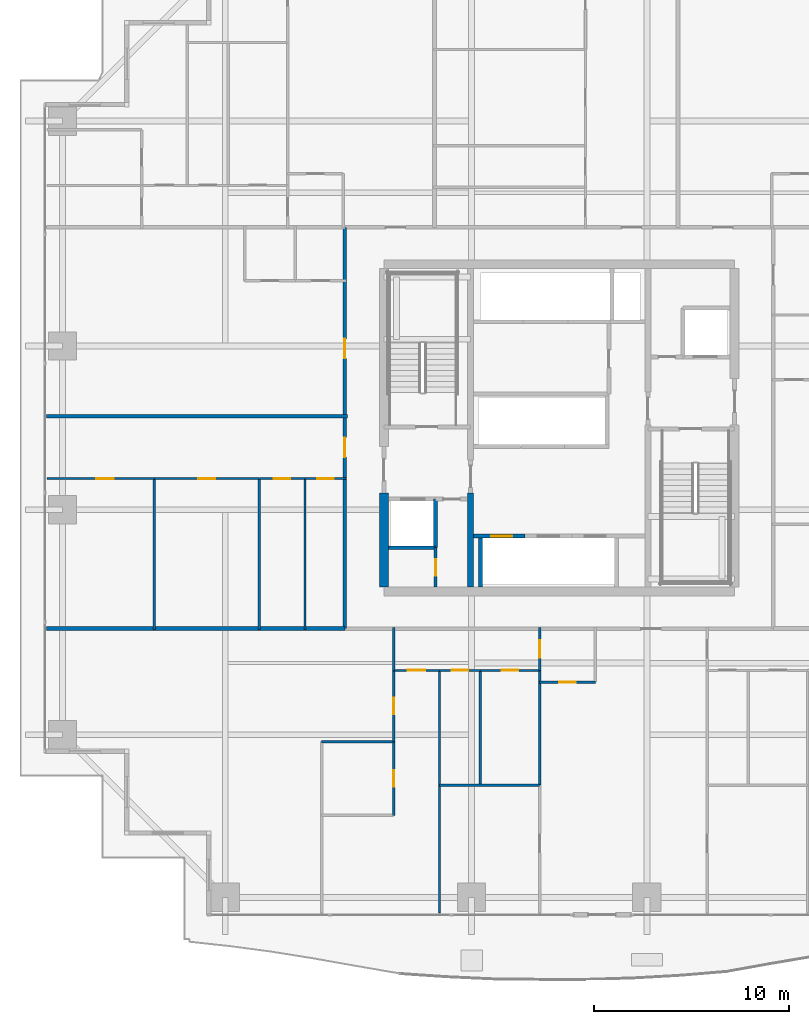
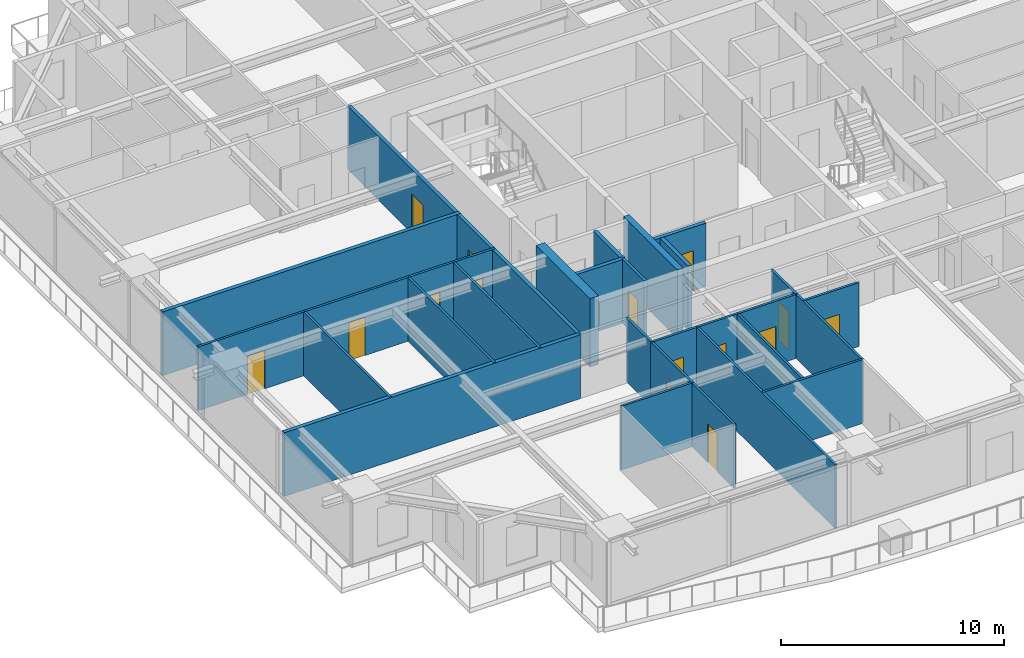
# One storey, part 27 of 39: 30 walls, 15 doors, 15 openings.
"""IFC4 building model written with IfcOpenShell, lengths in metres."""

from ifc_helpers import new_model, si_unit, direction, frame, frame_2d, origin, place, context, subcontext, project, spatial, rectangle, extrude, source, transform, mapped, material, layer, layer_set, type_object, element, fill, save


model = new_model("IFC4")

# Units and contexts
model_context = context("Model", 3, precision=1e-05, world=origin(), true_north=direction((0.0, 1.0)))
body_context = subcontext(model_context, "Body", "Model", "MODEL_VIEW")
ifc_project = project(units=[si_unit("LENGTHUNIT", "METRE"), si_unit("AREAUNIT", "SQUARE_METRE"), si_unit("VOLUMEUNIT", "CUBIC_METRE"), si_unit("PLANEANGLEUNIT", "RADIAN"), si_unit("MASSUNIT", "GRAM", prefix="KILO")], contexts=[model_context])

# Site, building, storey
site_placement = place(None, origin())
site = spatial("IfcSite", under=ifc_project, at=site_placement, CompositionType="ELEMENT")
building_placement = place(site_placement, origin())
building = spatial("IfcBuilding", under=site, at=building_placement, Name="Serunith Strait Residences", CompositionType="ELEMENT")
storey_placement = place(building_placement, frame((0.0, 0.0, 49.199951171875)))
storey = spatial("IfcBuildingStorey", under=building, at=storey_placement, Name="L11", CompositionType="ELEMENT", Elevation=49.199951171875)

# Wall, opening, door
ifc_material_1 = material(Name="Fire-rated masonry service closet wall", Category="masonry")
ifc_layer_1 = layer(ifc_material_1, 0.14990234375, Name="Fire-rated masonry service closet wall")
ifc_layer_set_1 = layer_set([ifc_layer_1], Name="Fire-rated masonry service closet wall")
wall_type_1 = type_object("IfcWallType", Name="IW-BOH-150", PredefinedType="PARTITIONING", material=ifc_layer_set_1)
wall_1_placement = place(storey_placement, frame((26.050048828125, 17.02490234375, 0.0), z_axis=(0.0, 0.0, 1.0), x_axis=(0.0, 1.0, 0.0)))
wall_1 = element("IfcWall", 1, at=wall_1_placement, inside=storey, type_object=wall_type_1, Name="L11 Partition Wall 012", PredefinedType="PARTITIONING", context=body_context, shape_type="SweptSolid", body=[
    extrude(rectangle(XDim=2.023193359375, YDim=0.14990234375, at=frame_2d((1.01171875, 0.0))), origin(), (0.0, 0.0, 1.0), 3.489990234375),
])
opening_1_placement = place(wall_1_placement, frame((0.5859375, 0.0, 0.0)))
opening_1 = element("IfcOpeningElement", 2, at=opening_1_placement, cuts=wall_1, Name="Opening FD-850", PredefinedType="OPENING", context=body_context, shape_type="SweptSolid", body=[
    extrude(rectangle(XDim=0.85009765625, YDim=2.10009765625, at=frame_2d((0.425048828125, 1.050048828125))), frame((0.0, 0.0849609375, 0.0), z_axis=(0.0, -1.0, 0.0), x_axis=(1.0, 0.0, 0.0)), (0.0, 0.0, 1.0), 0.169921875),
])
ifc_material_2 = material(Name="Powder-coated steel service closet door", Category="steel")
door_type_1 = type_object("IfcDoorType", Name="FD-BOH-850", OperationType="NOTDEFINED", PredefinedType="DOOR", material=ifc_material_2)
shared_shape_1 = source(origin(), body_context, "Body", "SweptSolid", [
    extrude(rectangle(XDim=0.85009765625, YDim=2.10009765625, at=frame_2d((0.425048828125, 1.050048828125))), frame((0.0, 0.02490234375, 0.0), z_axis=(0.0, -1.0, 0.0), x_axis=(1.0, 0.0, 0.0)), (0.0, 0.0, 1.0), 0.050048828125),
])
door_1_placement = place(opening_1_placement, origin())
door_1 = element("IfcDoor", 3, at=door_1_placement, inside=storey, type_object=door_type_1, Name="L11 Cleaner Store Door", OperationType="SINGLE_SWING_RIGHT", OverallHeight=2.10009765625, OverallWidth=0.85009765625, PredefinedType="DOOR", context=body_context, shape_type="MappedRepresentation", body=[
    mapped(shared_shape_1, transform((0.0, 0.0, 0.0), scale=1.0)),
])
fill(opening_1, door_1)

# Wall, openings, doors
ifc_material_3 = material(Name="Fire-rated acoustic gypsum partition")
ifc_layer_2 = layer(ifc_material_3, 0.179931640625, Name="Fire-rated acoustic gypsum partition")
ifc_layer_set_2 = layer_set([ifc_layer_2], Name="Fire-rated acoustic gypsum partition")
wall_type_2 = type_object("IfcWallType", Name="IW-CORR-180", PredefinedType="PARTITIONING", material=ifc_layer_set_2)
wall_2_placement = place(storey_placement, frame((21.39990234375, 14.89990234375, 0.0), z_axis=(0.0, 0.0, 1.0), x_axis=(0.0, 1.0, 0.0)))
wall_2 = element("IfcWall", 4, at=wall_2_placement, inside=storey, type_object=wall_type_2, Name="L11 Partition Wall 023", PredefinedType="PARTITIONING", context=body_context, shape_type="SweptSolid", body=[
    extrude(rectangle(XDim=20.60009765625, YDim=0.179931640625, at=frame_2d((10.300048828125, 0.0))), origin(), (0.0, 0.0, 1.0), 3.489990234375),
])
opening_2_placement = place(wall_2_placement, frame((8.800048828125, 0.0, 0.0)))
opening_2 = element("IfcOpeningElement", 5, at=opening_2_placement, cuts=wall_2, Name="Opening D-APT1000", PredefinedType="OPENING", context=body_context, shape_type="SweptSolid", body=[
    extrude(rectangle(XDim=1.0, YDim=2.14990234375, at=frame_2d((0.5, 1.074951171875))), frame((0.0, 0.10009765625, 0.0), z_axis=(0.0, -1.0, 0.0), x_axis=(1.0, 0.0, 0.0)), (0.0, 0.0, 1.0), 0.199951171875),
])
opening_3_placement = place(wall_2_placement, frame((13.876953125, 0.0, 0.0)))
opening_3 = element("IfcOpeningElement", 6, at=opening_3_placement, cuts=wall_2, Name="Opening D-APT1000", PredefinedType="OPENING", context=body_context, shape_type="SweptSolid", body=[
    extrude(rectangle(XDim=1.0, YDim=2.14990234375, at=frame_2d((0.5, 1.074951171875))), frame((0.0, 0.10009765625, 0.0), z_axis=(0.0, -1.0, 0.0), x_axis=(1.0, 0.0, 0.0)), (0.0, 0.0, 1.0), 0.199951171875),
])
ifc_material_4 = material(Name="Solid timber engineered fire door", Category="wood")
door_type_2 = type_object("IfcDoorType", Name="ID-APT-1000", OperationType="NOTDEFINED", PredefinedType="DOOR", material=ifc_material_4)
shared_shape_2 = source(origin(), body_context, "Body", "SweptSolid", [
    extrude(rectangle(XDim=1.0, YDim=2.14990234375, at=frame_2d((0.5, 1.074951171875))), frame((0.0, 0.02490234375, 0.0), z_axis=(0.0, -1.0, 0.0), x_axis=(1.0, 0.0, 0.0)), (0.0, 0.0, 1.0), 0.050048828125),
])
door_2_placement = place(opening_2_placement, origin())
door_2 = element("IfcDoor", 7, at=door_2_placement, inside=storey, type_object=door_type_2, Name="L11 Unit 05 Entrance Door", OperationType="SINGLE_SWING_RIGHT", OverallHeight=2.14990234375, OverallWidth=1.0, PredefinedType="DOOR", context=body_context, shape_type="MappedRepresentation", body=[
    mapped(shared_shape_2, transform((0.0, 0.0, 0.0), scale=1.0)),
])
fill(opening_2, door_2)
door_3_placement = place(opening_3_placement, origin())
door_3 = element("IfcDoor", 8, at=door_3_placement, inside=storey, type_object=door_type_2, Name="L11 Unit 06 Entrance Door", OperationType="SINGLE_SWING_LEFT", OverallHeight=2.14990234375, OverallWidth=1.0, PredefinedType="DOOR", context=body_context, shape_type="MappedRepresentation", body=[
    mapped(shared_shape_2, transform((0.0, 0.0, 0.0), scale=1.0)),
])
fill(opening_3, door_3)

# Wall, opening, door
ifc_material_5 = material(Name="Lightweight steel-stud gypsum partition", Category="steel")
ifc_layer_3 = layer(ifc_material_5, 0.1201171875, Name="Lightweight steel-stud gypsum partition")
ifc_layer_set_3 = layer_set([ifc_layer_3], Name="Lightweight steel-stud gypsum partition")
wall_type_3 = type_object("IfcWallType", Name="IW-PART-120", PredefinedType="PARTITIONING", material=ifc_layer_set_3)
wall_3_placement = place(storey_placement, frame((31.39990234375, 12.14990234375, 0.0), z_axis=(0.0, 0.0, 1.0), x_axis=(1.0, 0.0, 0.0)))
wall_3 = element("IfcWall", 9, at=wall_3_placement, inside=storey, type_object=wall_type_3, Name="L11 Partition Wall 025", PredefinedType="PARTITIONING", context=body_context, shape_type="SweptSolid", body=[
    extrude(rectangle(XDim=2.85009765625, YDim=0.1201171875, at=frame_2d((1.425048828125, 0.0))), origin(), (0.0, 0.0, 1.0), 3.489990234375),
])
opening_4_placement = place(wall_3_placement, frame((1.0, 0.0, 0.0)))
opening_4 = element("IfcOpeningElement", 10, at=opening_4_placement, cuts=wall_3, Name="Opening D-RM850", PredefinedType="OPENING", context=body_context, shape_type="SweptSolid", body=[
    extrude(rectangle(XDim=0.85009765625, YDim=2.10009765625, at=frame_2d((0.425048828125, 1.050048828125))), frame((0.0, 0.070068359375, 0.0), z_axis=(0.0, -1.0, 0.0), x_axis=(1.0, 0.0, 0.0)), (0.0, 0.0, 1.0), 0.14013671875),
])
ifc_material_6 = material(Name="Engineered timber flush study and kitchen door", Category="wood")
door_type_3 = type_object("IfcDoorType", Name="ID-ROOM-850", OperationType="NOTDEFINED", PredefinedType="DOOR", material=ifc_material_6)
door_4_placement = place(opening_4_placement, origin())
door_4 = element("IfcDoor", 11, at=door_4_placement, inside=storey, type_object=door_type_3, Name="L11 Kitchen 1101 Door", OperationType="SINGLE_SWING_LEFT", OverallHeight=2.10009765625, OverallWidth=0.85009765625, PredefinedType="DOOR", context=body_context, shape_type="MappedRepresentation", body=[
    mapped(shared_shape_1, transform((0.0, 0.0, 0.0), scale=1.0)),
])
fill(opening_4, door_4)

wall_4_placement = place(storey_placement, frame((31.39990234375, 12.75, 0.0), z_axis=(0.0, 0.0, 1.0), x_axis=(0.0, 1.0, 0.0)))
wall_4 = element("IfcWall", 12, at=wall_4_placement, inside=storey, type_object=wall_type_3, Name="L11 Partition Wall 027", PredefinedType="PARTITIONING", context=body_context, shape_type="SweptSolid", body=[
    extrude(rectangle(XDim=2.2099609375, YDim=0.1201171875, at=frame_2d((1.10498046875, 0.0))), origin(), (0.0, 0.0, 1.0), 3.489990234375),
])
opening_5_placement = place(wall_4_placement, frame((0.655029296875, 0.0, 0.0)))
opening_5 = element("IfcOpeningElement", 13, at=opening_5_placement, cuts=wall_4, Name="Opening D-RM900", PredefinedType="OPENING", context=body_context, shape_type="SweptSolid", body=[
    extrude(rectangle(XDim=0.89990234375, YDim=2.10009765625, at=frame_2d((0.449951171875, 1.050048828125))), frame((0.0, 0.070068359375, 0.0), z_axis=(0.0, -1.0, 0.0), x_axis=(1.0, 0.0, 0.0)), (0.0, 0.0, 1.0), 0.14013671875),
])
ifc_material_7 = material(Name="Engineered timber flush bedroom door", Category="wood")
door_type_4 = type_object("IfcDoorType", Name="ID-ROOM-900", OperationType="NOTDEFINED", PredefinedType="DOOR", material=ifc_material_7)
shared_shape_3 = source(origin(), body_context, "Body", "SweptSolid", [
    extrude(rectangle(XDim=0.89990234375, YDim=2.10009765625, at=frame_2d((0.449951171875, 1.050048828125))), frame((0.0, 0.02490234375, 0.0), z_axis=(0.0, -1.0, 0.0), x_axis=(1.0, 0.0, 0.0)), (0.0, 0.0, 1.0), 0.050048828125),
])
door_5_placement = place(opening_5_placement, origin())
door_5 = element("IfcDoor", 14, at=door_5_placement, inside=storey, type_object=door_type_4, Name="L11 Hall W 1101 Door", OperationType="SINGLE_SWING_RIGHT", OverallHeight=2.10009765625, OverallWidth=0.89990234375, PredefinedType="DOOR", context=body_context, shape_type="MappedRepresentation", body=[
    mapped(shared_shape_3, transform((0.0, 0.0, 0.0), scale=1.0)),
])
fill(opening_5, door_5)

# Walls
wall_5_placement = place(storey_placement, frame((31.39990234375, 6.862060546875, 0.0), z_axis=(0.0, 0.0, 1.0), x_axis=(0.0, 1.0, 0.0)))
element("IfcWall", 15, at=wall_5_placement, inside=storey, type_object=wall_type_3, Name="L11 Partition Wall 029", PredefinedType="PARTITIONING", context=body_context, shape_type="SweptSolid", body=[
    extrude(rectangle(XDim=5.885986328125, YDim=0.1201171875, at=frame_2d((2.94287109375, 0.0))), origin(), (0.0, 0.0, 1.0), 3.489990234375),
])
wall_6_placement = place(storey_placement, frame((26.25, 6.860107421875, 0.0), z_axis=(0.0, 0.0, 1.0), x_axis=(1.0, 0.0, 0.0)))
element("IfcWall", 16, at=wall_6_placement, inside=storey, type_object=wall_type_3, Name="L11 Partition Wall 030", PredefinedType="PARTITIONING", context=body_context, shape_type="SweptSolid", body=[
    extrude(rectangle(XDim=5.14990234375, YDim=0.1201171875, at=frame_2d((2.574951171875, 0.0))), origin(), (0.0, 0.0, 1.0), 3.489990234375),
])
wall_7_placement = place(storey_placement, frame((26.25, 0.294921875, 0.0), z_axis=(0.0, 0.0, 1.0), x_axis=(0.0, 1.0, 0.0)))
element("IfcWall", 17, at=wall_7_placement, inside=storey, type_object=wall_type_3, Name="L11 Partition Wall 031", PredefinedType="PARTITIONING", context=body_context, shape_type="SweptSolid", body=[
    extrude(rectangle(XDim=12.455078125, YDim=0.1201171875, at=frame_2d((6.2275390625, 0.0))), origin(), (0.0, 0.0, 1.0), 3.489990234375),
])
wall_8_placement = place(storey_placement, frame((28.35009765625, 6.860107421875, 0.0), z_axis=(0.0, 0.0, 1.0), x_axis=(0.0, 1.0, 0.0)))
element("IfcWall", 18, at=wall_8_placement, inside=storey, type_object=wall_type_3, Name="L11 Partition Wall 032", PredefinedType="PARTITIONING", context=body_context, shape_type="SweptSolid", body=[
    extrude(rectangle(XDim=5.889892578125, YDim=0.1201171875, at=frame_2d((2.94482421875, 0.0))), origin(), (0.0, 0.0, 1.0), 3.489990234375),
])

# Wall, opening, door
wall_9_placement = place(storey_placement, frame((26.25, 12.75, 0.0), z_axis=(0.0, 0.0, 1.0), x_axis=(1.0, 0.0, 0.0)))
wall_9 = element("IfcWall", 19, at=wall_9_placement, inside=storey, type_object=wall_type_3, Name="L11 Partition Wall 033", PredefinedType="PARTITIONING", context=body_context, shape_type="SweptSolid", body=[
    extrude(rectangle(XDim=2.10009765625, YDim=0.1201171875, at=frame_2d((1.050048828125, 0.0))), origin(), (0.0, 0.0, 1.0), 3.489990234375),
])
opening_6_placement = place(wall_9_placement, frame((0.625, 0.0, 0.0)))
opening_6 = element("IfcOpeningElement", 20, at=opening_6_placement, cuts=wall_9, Name="Opening D-BTH850", PredefinedType="OPENING", context=body_context, shape_type="SweptSolid", body=[
    extrude(rectangle(XDim=0.85009765625, YDim=2.10009765625, at=frame_2d((0.425048828125, 1.050048828125))), frame((0.0, 0.070068359375, 0.0), z_axis=(0.0, -1.0, 0.0), x_axis=(1.0, 0.0, 0.0)), (0.0, 0.0, 1.0), 0.14013671875),
])
ifc_material_8 = material(Name="Moisture-resistant timber bathroom door", Category="wood")
door_type_5 = type_object("IfcDoorType", Name="ID-BATH-850", OperationType="NOTDEFINED", PredefinedType="DOOR", material=ifc_material_8)
door_6_placement = place(opening_6_placement, origin())
door_6 = element("IfcDoor", 21, at=door_6_placement, inside=storey, type_object=door_type_5, Name="L11 Bathroom 1101 Door", OperationType="SINGLE_SWING_RIGHT", OverallHeight=2.10009765625, OverallWidth=0.85009765625, PredefinedType="DOOR", context=body_context, shape_type="MappedRepresentation", body=[
    mapped(shared_shape_1, transform((0.0, 0.0, 0.0), scale=1.0)),
])
fill(opening_6, door_6)

wall_10_placement = place(storey_placement, frame((28.35205078125, 12.75, 0.0), z_axis=(0.0, 0.0, 1.0), x_axis=(1.0, 0.0, 0.0)))
wall_10 = element("IfcWall", 22, at=wall_10_placement, inside=storey, type_object=wall_type_3, Name="L11 Partition Wall 034", PredefinedType="PARTITIONING", context=body_context, shape_type="SweptSolid", body=[
    extrude(rectangle(XDim=3.0478515625, YDim=0.1201171875, at=frame_2d((1.52392578125, 0.0))), origin(), (0.0, 0.0, 1.0), 3.489990234375),
])
opening_7_placement = place(wall_10_placement, frame((1.09912109375, 0.0, 0.0)))
opening_7 = element("IfcOpeningElement", 23, at=opening_7_placement, cuts=wall_10, Name="Opening D-RM850", PredefinedType="OPENING", context=body_context, shape_type="SweptSolid", body=[
    extrude(rectangle(XDim=0.85009765625, YDim=2.10009765625, at=frame_2d((0.425048828125, 1.050048828125))), frame((0.0, 0.070068359375, 0.0), z_axis=(0.0, -1.0, 0.0), x_axis=(1.0, 0.0, 0.0)), (0.0, 0.0, 1.0), 0.14013671875),
])
door_7_placement = place(opening_7_placement, origin())
door_7 = element("IfcDoor", 24, at=door_7_placement, inside=storey, type_object=door_type_3, Name="L11 Formal Dining Room 1101 Door", OperationType="SINGLE_SWING_LEFT", OverallHeight=2.10009765625, OverallWidth=0.85009765625, PredefinedType="DOOR", context=body_context, shape_type="MappedRepresentation", body=[
    mapped(shared_shape_1, transform((0.0, 0.0, 0.0), scale=1.0)),
])
fill(opening_7, door_7)

wall_11_placement = place(storey_placement, frame((23.89990234375, 12.75, 0.0), z_axis=(0.0, 0.0, 1.0), x_axis=(1.0, 0.0, 0.0)))
wall_11 = element("IfcWall", 25, at=wall_11_placement, inside=storey, type_object=wall_type_3, Name="L11 Partition Wall 035", PredefinedType="PARTITIONING", context=body_context, shape_type="SweptSolid", body=[
    extrude(rectangle(XDim=2.34814453125, YDim=0.1201171875, at=frame_2d((1.174072265625, 0.0))), origin(), (0.0, 0.0, 1.0), 3.489990234375),
])
opening_8_placement = place(wall_11_placement, frame((0.72412109375, 0.0, 0.0)))
opening_8 = element("IfcOpeningElement", 26, at=opening_8_placement, cuts=wall_11, Name="Opening D-RM900", PredefinedType="OPENING", context=body_context, shape_type="SweptSolid", body=[
    extrude(rectangle(XDim=0.89990234375, YDim=2.10009765625, at=frame_2d((0.449951171875, 1.050048828125))), frame((0.0, 0.070068359375, 0.0), z_axis=(0.0, -1.0, 0.0), x_axis=(1.0, 0.0, 0.0)), (0.0, 0.0, 1.0), 0.14013671875),
])
door_8_placement = place(opening_8_placement, origin())
door_8 = element("IfcDoor", 27, at=door_8_placement, inside=storey, type_object=door_type_4, Name="L11 Master Bedroom W 1101 Door", OperationType="SINGLE_SWING_RIGHT", OverallHeight=2.10009765625, OverallWidth=0.89990234375, PredefinedType="DOOR", context=body_context, shape_type="MappedRepresentation", body=[
    mapped(shared_shape_3, transform((0.0, 0.0, 0.0), scale=1.0)),
])
fill(opening_8, door_8)

# Wall
wall_12_placement = place(storey_placement, frame((20.199951171875, 9.093017578125, 0.0), z_axis=(0.0, 0.0, 1.0), x_axis=(1.0, 0.0, 0.0)))
element("IfcWall", 28, at=wall_12_placement, inside=storey, type_object=wall_type_3, Name="L11 Partition Wall 038", PredefinedType="PARTITIONING", context=body_context, shape_type="SweptSolid", body=[
    extrude(rectangle(XDim=3.699951171875, YDim=0.1201171875, at=frame_2d((1.85009765625, 0.0))), origin(), (0.0, 0.0, 1.0), 3.489990234375),
])

# Wall, opening, door
wall_13_placement = place(storey_placement, frame((23.89990234375, 5.30908203125, 0.0), z_axis=(0.0, 0.0, 1.0), x_axis=(0.0, 1.0, 0.0)))
wall_13 = element("IfcWall", 29, at=wall_13_placement, inside=storey, type_object=wall_type_3, Name="L11 Partition Wall 039", PredefinedType="PARTITIONING", context=body_context, shape_type="SweptSolid", body=[
    extrude(rectangle(XDim=3.783935546875, YDim=0.1201171875, at=frame_2d((1.89208984375, 0.0))), origin(), (0.0, 0.0, 1.0), 3.489990234375),
])
opening_9_placement = place(wall_13_placement, frame((1.467041015625, 0.0, 0.0)))
opening_9 = element("IfcOpeningElement", 30, at=opening_9_placement, cuts=wall_13, Name="Opening D-BTH850", PredefinedType="OPENING", context=body_context, shape_type="SweptSolid", body=[
    extrude(rectangle(XDim=0.85009765625, YDim=2.10009765625, at=frame_2d((0.425048828125, 1.050048828125))), frame((0.0, 0.070068359375, 0.0), z_axis=(0.0, -1.0, 0.0), x_axis=(1.0, 0.0, 0.0)), (0.0, 0.0, 1.0), 0.14013671875),
])
door_9_placement = place(opening_9_placement, origin())
door_9 = element("IfcDoor", 31, at=door_9_placement, inside=storey, type_object=door_type_5, Name="L11 En-suite Bathroom W 1101 Door", OperationType="SINGLE_SWING_LEFT", OverallHeight=2.10009765625, OverallWidth=0.85009765625, PredefinedType="DOOR", context=body_context, shape_type="MappedRepresentation", body=[
    mapped(shared_shape_1, transform((0.0, 0.0, 0.0), scale=1.0)),
])
fill(opening_9, door_9)

wall_14_placement = place(storey_placement, frame((23.89990234375, 9.094970703125, 0.0), z_axis=(0.0, 0.0, 1.0), x_axis=(0.0, 1.0, 0.0)))
wall_14 = element("IfcWall", 32, at=wall_14_placement, inside=storey, type_object=wall_type_3, Name="L11 Partition Wall 040", PredefinedType="PARTITIONING", context=body_context, shape_type="SweptSolid", body=[
    extrude(rectangle(XDim=3.655029296875, YDim=0.1201171875, at=frame_2d((1.82763671875, 0.0))), origin(), (0.0, 0.0, 1.0), 3.489990234375),
])
opening_10_placement = place(wall_14_placement, frame((1.402099609375, 0.0, 0.0)))
opening_10 = element("IfcOpeningElement", 33, at=opening_10_placement, cuts=wall_14, Name="Opening D-RM850", PredefinedType="OPENING", context=body_context, shape_type="SweptSolid", body=[
    extrude(rectangle(XDim=0.85009765625, YDim=2.10009765625, at=frame_2d((0.425048828125, 1.050048828125))), frame((0.0, 0.070068359375, 0.0), z_axis=(0.0, -1.0, 0.0), x_axis=(1.0, 0.0, 0.0)), (0.0, 0.0, 1.0), 0.14013671875),
])
door_10_placement = place(opening_10_placement, origin())
door_10 = element("IfcDoor", 34, at=door_10_placement, inside=storey, type_object=door_type_3, Name="L11 Wardrobe W 1101 Door", OperationType="SINGLE_SWING_RIGHT", OverallHeight=2.10009765625, OverallWidth=0.85009765625, PredefinedType="DOOR", context=body_context, shape_type="MappedRepresentation", body=[
    mapped(shared_shape_1, transform((0.0, 0.0, 0.0), scale=1.0)),
])
fill(opening_10, door_10)

# Wall
wall_15_placement = place(storey_placement, frame((23.89990234375, 12.751953125, 0.0), z_axis=(0.0, 0.0, 1.0), x_axis=(0.0, 1.0, 0.0)))
element("IfcWall", 35, at=wall_15_placement, inside=storey, type_object=wall_type_3, Name="L11 Partition Wall 041", PredefinedType="PARTITIONING", context=body_context, shape_type="SweptSolid", body=[
    extrude(rectangle(XDim=2.2080078125, YDim=0.1201171875, at=frame_2d((1.10400390625, 0.0))), origin(), (0.0, 0.0, 1.0), 3.489990234375),
])

# Wall, opening, door
wall_16_placement = place(storey_placement, frame((6.094970703125, 22.60009765625, 0.0), z_axis=(0.0, 0.0, 1.0), x_axis=(1.0, 0.0, 0.0)))
wall_16 = element("IfcWall", 36, at=wall_16_placement, inside=storey, type_object=wall_type_3, Name="L11 Partition Wall 094", PredefinedType="PARTITIONING", context=body_context, shape_type="SweptSolid", body=[
    extrude(rectangle(XDim=5.513916015625, YDim=0.1201171875, at=frame_2d((2.7568359375, 0.0))), origin(), (0.0, 0.0, 1.0), 3.489990234375),
])
opening_11_placement = place(wall_16_placement, frame((2.5380859375, 0.0, 0.0)))
opening_11 = element("IfcOpeningElement", 37, at=opening_11_placement, cuts=wall_16, Name="Opening D-RM900", PredefinedType="OPENING", context=body_context, shape_type="SweptSolid", body=[
    extrude(rectangle(XDim=0.89990234375, YDim=2.10009765625, at=frame_2d((0.449951171875, 1.050048828125))), frame((0.0, 0.070068359375, 0.0), z_axis=(0.0, -1.0, 0.0), x_axis=(1.0, 0.0, 0.0)), (0.0, 0.0, 1.0), 0.14013671875),
])
door_11_placement = place(opening_11_placement, origin())
door_11 = element("IfcDoor", 38, at=door_11_placement, inside=storey, type_object=door_type_4, Name="L11 Master Bedroom 1 1105 Door", OperationType="SINGLE_SWING_RIGHT", OverallHeight=2.10009765625, OverallWidth=0.89990234375, PredefinedType="DOOR", context=body_context, shape_type="MappedRepresentation", body=[
    mapped(shared_shape_3, transform((0.0, 0.0, 0.0), scale=1.0)),
])
fill(opening_11, door_11)

# Walls
for number, where, z_axis, x_axis, name in (
    (39, (11.60888671875, 14.840087890625, 0.0), (0.0, 0.0, 1.0), (0.0, 1.0, 0.0), "L11 Partition Wall 095"),
    (40, (16.9990234375, 14.840087890625, 0.0), (0.0, 0.0, 1.0), (0.0, 1.0, 0.0), "L11 Partition Wall 096"),
    (41, (19.35009765625, 14.840087890625, 0.0), (0.0, 0.0, 1.0), (0.0, 1.0, 0.0), "L11 Partition Wall 097"),
):
    element("IfcWall", number, at=place(storey_placement, frame(where, z_axis=z_axis, x_axis=x_axis)), inside=storey, type_object=wall_type_3, Name=name, PredefinedType="PARTITIONING", context=body_context, shape_type="SweptSolid", body=[
        extrude(rectangle(XDim=7.760009765625, YDim=0.1201171875, at=frame_2d((3.8798828125, 0.0))), origin(), (0.0, 0.0, 1.0), 3.489990234375),
    ])

# Wall, opening, door
wall_17_placement = place(storey_placement, frame((11.611083984375, 22.60009765625, 0.0), z_axis=(0.0, 0.0, 1.0), x_axis=(1.0, 0.0, 0.0)))
wall_17 = element("IfcWall", 42, at=wall_17_placement, inside=storey, type_object=wall_type_3, Name="L11 Partition Wall 098", PredefinedType="PARTITIONING", context=body_context, shape_type="SweptSolid", body=[
    extrude(rectangle(XDim=5.387939453125, YDim=0.1201171875, at=frame_2d((2.69384765625, 0.0))), origin(), (0.0, 0.0, 1.0), 3.489990234375),
])
opening_12_placement = place(wall_17_placement, frame((2.26904296875, 0.0, 0.0)))
opening_12 = element("IfcOpeningElement", 43, at=opening_12_placement, cuts=wall_17, Name="Opening D-RM850", PredefinedType="OPENING", context=body_context, shape_type="SweptSolid", body=[
    extrude(rectangle(XDim=0.85009765625, YDim=2.10009765625, at=frame_2d((0.425048828125, 1.050048828125))), frame((0.0, 0.070068359375, 0.0), z_axis=(0.0, -1.0, 0.0), x_axis=(1.0, 0.0, 0.0)), (0.0, 0.0, 1.0), 0.14013671875),
])
door_12_placement = place(opening_12_placement, origin())
door_12 = element("IfcDoor", 44, at=door_12_placement, inside=storey, type_object=door_type_3, Name="L11 Dining 1105 Door", OperationType="SINGLE_SWING_LEFT", OverallHeight=2.10009765625, OverallWidth=0.85009765625, PredefinedType="DOOR", context=body_context, shape_type="MappedRepresentation", body=[
    mapped(shared_shape_1, transform((0.0, 0.0, 0.0), scale=1.0)),
])
fill(opening_12, door_12)

wall_18_placement = place(storey_placement, frame((17.0009765625, 22.60009765625, 0.0), z_axis=(0.0, 0.0, 1.0), x_axis=(1.0, 0.0, 0.0)))
wall_18 = element("IfcWall", 45, at=wall_18_placement, inside=storey, type_object=wall_type_3, Name="L11 Partition Wall 099", PredefinedType="PARTITIONING", context=body_context, shape_type="SweptSolid", body=[
    extrude(rectangle(XDim=2.34912109375, YDim=0.1201171875, at=frame_2d((1.174560546875, 0.0))), origin(), (0.0, 0.0, 1.0), 3.489990234375),
])
opening_13_placement = place(wall_18_placement, frame((0.75, 0.0, 0.0)))
opening_13 = element("IfcOpeningElement", 46, at=opening_13_placement, cuts=wall_18, Name="Opening D-RM850", PredefinedType="OPENING", context=body_context, shape_type="SweptSolid", body=[
    extrude(rectangle(XDim=0.85009765625, YDim=2.10009765625, at=frame_2d((0.425048828125, 1.050048828125))), frame((0.0, 0.070068359375, 0.0), z_axis=(0.0, -1.0, 0.0), x_axis=(1.0, 0.0, 0.0)), (0.0, 0.0, 1.0), 0.14013671875),
])
door_13_placement = place(opening_13_placement, origin())
door_13 = element("IfcDoor", 47, at=door_13_placement, inside=storey, type_object=door_type_3, Name="L11 Kitchen 1105 Door", OperationType="SINGLE_SWING_RIGHT", OverallHeight=2.10009765625, OverallWidth=0.85009765625, PredefinedType="DOOR", context=body_context, shape_type="MappedRepresentation", body=[
    mapped(shared_shape_1, transform((0.0, 0.0, 0.0), scale=1.0)),
])
fill(opening_13, door_13)

wall_19_placement = place(storey_placement, frame((19.35205078125, 22.60009765625, 0.0), z_axis=(0.0, 0.0, 1.0), x_axis=(1.0, 0.0, 0.0)))
wall_19 = element("IfcWall", 48, at=wall_19_placement, inside=storey, type_object=wall_type_3, Name="L11 Partition Wall 100", PredefinedType="PARTITIONING", context=body_context, shape_type="SweptSolid", body=[
    extrude(rectangle(XDim=2.10791015625, YDim=0.1201171875, at=frame_2d((1.053955078125, 0.0))), origin(), (0.0, 0.0, 1.0), 3.489990234375),
])
opening_14_placement = place(wall_19_placement, frame((0.62890625, 0.0, 0.0)))
opening_14 = element("IfcOpeningElement", 49, at=opening_14_placement, cuts=wall_19, Name="Opening D-BTH850", PredefinedType="OPENING", context=body_context, shape_type="SweptSolid", body=[
    extrude(rectangle(XDim=0.85009765625, YDim=2.10009765625, at=frame_2d((0.425048828125, 1.050048828125))), frame((0.0, 0.070068359375, 0.0), z_axis=(0.0, -1.0, 0.0), x_axis=(1.0, 0.0, 0.0)), (0.0, 0.0, 1.0), 0.14013671875),
])
door_14_placement = place(opening_14_placement, origin())
door_14 = element("IfcDoor", 50, at=door_14_placement, inside=storey, type_object=door_type_5, Name="L11 Bathroom 1105 Door", OperationType="SINGLE_SWING_LEFT", OverallHeight=2.10009765625, OverallWidth=0.85009765625, PredefinedType="DOOR", context=body_context, shape_type="MappedRepresentation", body=[
    mapped(shared_shape_1, transform((0.0, 0.0, 0.0), scale=1.0)),
])
fill(opening_14, door_14)

# Walls
ifc_material_9 = material(Name="Twin-stud acoustic gypsum board partition")
ifc_layer_4 = layer(ifc_material_9, 0.199951171875, Name="Twin-stud acoustic gypsum board partition")
ifc_layer_set_4 = layer_set([ifc_layer_4], Name="Twin-stud acoustic gypsum board partition")
wall_type_4 = type_object("IfcWallType", Name="IW-PARTY-200", PredefinedType="PARTITIONING", material=ifc_layer_set_4)
wall_20_placement = place(storey_placement, frame((6.08203125, 25.800048828125, 0.0), z_axis=(0.0, 0.0, 1.0), x_axis=(1.0, 0.0, 0.0)))
element("IfcWall", 51, at=wall_20_placement, inside=storey, type_object=wall_type_4, Name="L11 Partition Wall 016", PredefinedType="PARTITIONING", context=body_context, shape_type="SweptSolid", body=[
    extrude(rectangle(XDim=15.43798828125, YDim=0.199951171875, at=frame_2d((7.718994140625, 0.0))), origin(), (0.0, 0.0, 1.0), 3.489990234375),
])
wall_21_placement = place(storey_placement, frame((6.08203125, 14.89990234375, 0.0), z_axis=(0.0, 0.0, 1.0), x_axis=(1.0, 0.0, 0.0)))
element("IfcWall", 52, at=wall_21_placement, inside=storey, type_object=wall_type_4, Name="L11 Partition Wall 017", PredefinedType="PARTITIONING", context=body_context, shape_type="SweptSolid", body=[
    extrude(rectangle(XDim=15.31787109375, YDim=0.199951171875, at=frame_2d((7.658935546875, 0.0))), origin(), (0.0, 0.0, 1.0), 3.489990234375),
])

# Wall, opening, door
ifc_material_10 = material(Name="Autoclaved aerated concrete blockwork", Category="masonry")
ifc_layer_5 = layer(ifc_material_10, 0.199951171875, Name="Autoclaved aerated concrete blockwork")
ifc_layer_set_5 = layer_set([ifc_layer_5], Name="Autoclaved aerated concrete blockwork")
wall_type_5 = type_object("IfcWallType", Name="IW-SHAFT-200", PredefinedType="STANDARD", material=ifc_layer_set_5)
wall_22_placement = place(storey_placement, frame((28.0, 19.64990234375, 0.0), z_axis=(0.0, 0.0, 1.0), x_axis=(1.0, 0.0, 0.0)))
wall_22 = element("IfcWall", 53, at=wall_22_placement, inside=storey, type_object=wall_type_5, Name="L11 PL-1 North Shaft Wall", PredefinedType="STANDARD", context=body_context, shape_type="SweptSolid", body=[
    extrude(rectangle(XDim=2.64990234375, YDim=0.199951171875, at=frame_2d((1.324951171875, 0.0))), origin(), (0.0, 0.0, 1.0), 3.489990234375),
])
opening_15_placement = place(wall_22_placement, frame((0.89990234375, 0.0, 0.0)))
opening_15 = element("IfcOpeningElement", 54, at=opening_15_placement, cuts=wall_22, Name="Opening LD-1100", PredefinedType="OPENING", context=body_context, shape_type="SweptSolid", body=[
    extrude(rectangle(XDim=1.10009765625, YDim=2.199951171875, at=frame_2d((0.550048828125, 1.10009765625))), frame((0.0, 0.10986328125, 0.0), z_axis=(0.0, -1.0, 0.0), x_axis=(1.0, 0.0, 0.0)), (0.0, 0.0, 1.0), 0.219970703125),
])
ifc_material_11 = material(Name="Pale-champagne stainless landing door")
door_type_6 = type_object("IfcDoorType", Name="LD-LIFT-1100", OperationType="DOUBLE_DOOR_SLIDING", PredefinedType="DOOR", material=ifc_material_11)
shared_shape_4 = source(origin(), body_context, "Body", "SweptSolid", [
    extrude(rectangle(XDim=1.10009765625, YDim=2.199951171875, at=frame_2d((0.550048828125, 1.10009765625))), frame((0.0, 0.02490234375, 0.0), z_axis=(0.0, -1.0, 0.0), x_axis=(1.0, 0.0, 0.0)), (0.0, 0.0, 1.0), 0.050048828125),
])
door_15_placement = place(opening_15_placement, origin())
door_15 = element("IfcDoor", 55, at=door_15_placement, inside=storey, type_object=door_type_6, Name="L11 PL-1 Landing Door", OperationType="DOUBLE_DOOR_SLIDING", OverallHeight=2.199951171875, OverallWidth=1.10009765625, PredefinedType="DOOR", context=body_context, shape_type="MappedRepresentation", body=[
    mapped(shared_shape_4, transform((0.0, 0.0, 0.0), scale=1.0)),
])
fill(opening_15, door_15)

# Walls
wall_23_placement = place(storey_placement, frame((28.35009765625, 17.02490234375, 0.0), z_axis=(0.0, 0.0, 1.0), x_axis=(0.0, 1.0, 0.0)))
element("IfcWall", 56, at=wall_23_placement, inside=storey, type_object=wall_type_5, Name="L11 PL-1 West Shaft Wall", PredefinedType="STANDARD", context=body_context, shape_type="SweptSolid", body=[
    extrude(rectangle(XDim=2.525146484375, YDim=0.199951171875, at=frame_2d((1.2626953125, 0.0))), origin(), (0.0, 0.0, 1.0), 3.489990234375),
])
wall_24_placement = place(storey_placement, frame((26.050048828125, 19.050048828125, 0.0), z_axis=(0.0, 0.0, 1.0), x_axis=(0.0, 1.0, 0.0)))
element("IfcWall", 57, at=wall_24_placement, inside=storey, type_object=wall_type_5, Name="L11 Partition Wall 001", PredefinedType="STANDARD", context=body_context, shape_type="SweptSolid", body=[
    extrude(rectangle(XDim=2.5, YDim=0.199951171875, at=frame_2d((1.25, 0.0))), origin(), (0.0, 0.0, 1.0), 3.489990234375),
])
wall_25_placement = place(storey_placement, frame((23.625, 19.050048828125, 0.0), z_axis=(0.0, 0.0, 1.0), x_axis=(1.0, 0.0, 0.0)))
element("IfcWall", 58, at=wall_25_placement, inside=storey, type_object=wall_type_5, Name="L11 Partition Wall 002", PredefinedType="STANDARD", context=body_context, shape_type="SweptSolid", body=[
    extrude(rectangle(XDim=2.425048828125, YDim=0.199951171875, at=frame_2d((1.21240234375, 0.0))), origin(), (0.0, 0.0, 1.0), 3.489990234375),
])
ifc_material_12 = material(Name="Concrete C80/95", Category="concrete")
ifc_layer_6 = layer(ifc_material_12, 0.300048828125, Name="Concrete C80/95")
ifc_layer_set_6 = layer_set([ifc_layer_6], Name="Concrete C80/95")
wall_type_6 = type_object("IfcWallType", Name="SW-300-C80", PredefinedType="SHEAR", material=ifc_layer_set_6)
wall_26_placement = place(storey_placement, frame((27.85009765625, 17.02490234375, -0.260009765625), z_axis=(0.0, 0.0, 1.0), x_axis=(0.0, 1.0, 0.0)))
element("IfcWall", 59, at=wall_26_placement, inside=storey, type_object=wall_type_6, Name="L11 Core Internal West Web South Pier", PredefinedType="SHEAR", context=body_context, shape_type="SweptSolid", body=[
    extrude(rectangle(XDim=4.8251953125, YDim=0.300048828125, at=frame_2d((2.41259765625, 0.0))), origin(), (0.0, 0.0, 1.0), 3.748046875),
])
ifc_layer_7 = layer(ifc_material_12, 0.449951171875, Name="Concrete C80/95")
ifc_layer_set_7 = layer_set([ifc_layer_7], Name="Concrete C80/95")
wall_type_7 = type_object("IfcWallType", Name="SW-450-C80", PredefinedType="SHEAR", material=ifc_layer_set_7)
wall_27_placement = place(storey_placement, frame((23.39990234375, 17.02490234375, -0.260009765625), z_axis=(0.0, 0.0, 1.0), x_axis=(0.0, 1.0, 0.0)))
element("IfcWall", 60, at=wall_27_placement, inside=storey, type_object=wall_type_7, Name="L11 Core West Shear Wall South Pier", PredefinedType="SHEAR", context=body_context, shape_type="SweptSolid", body=[
    extrude(rectangle(XDim=4.8251953125, YDim=0.449951171875, at=frame_2d((2.41259765625, 0.0))), origin(), (0.0, 0.0, 1.0), 3.748046875),
])

save(model, "model.ifc")
